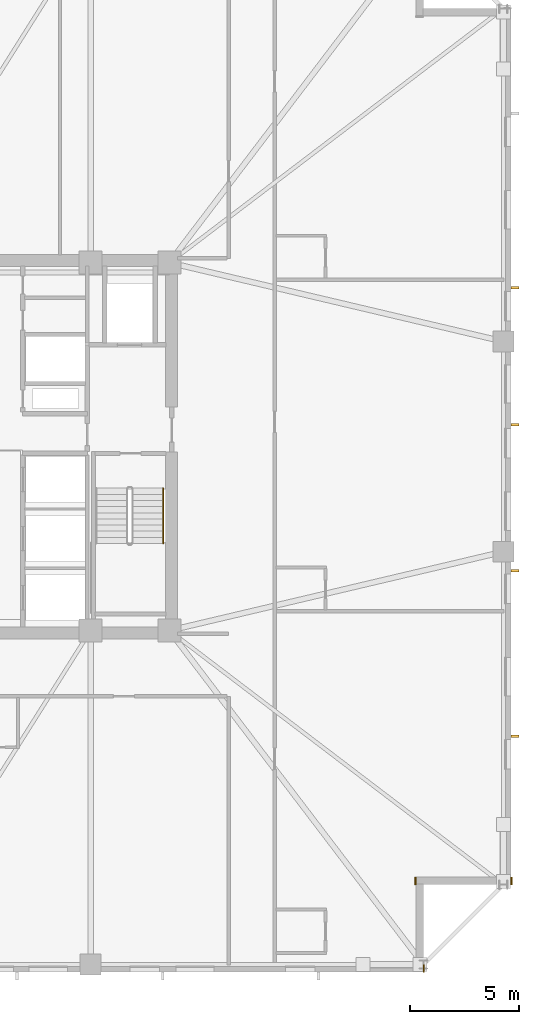
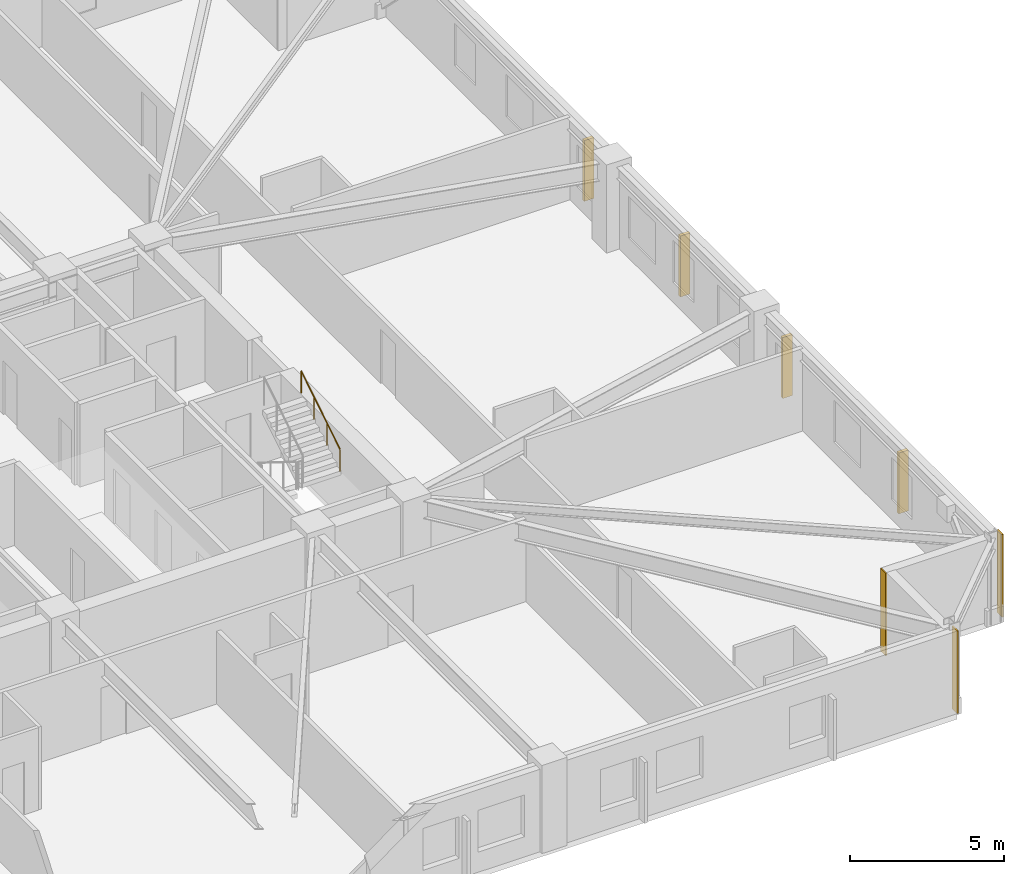
# One storey, part 8 of 10: 4 shading devices, 3 coverings, 1 railing.
"""IFC4 building model written with IfcOpenShell, lengths in metres."""

from ifc_helpers import new_model, si_unit, direction, frame, frame_2d, origin, origin_2d, place, context, subcontext, project, spatial, rectangle, circle, extrude, material, layer, layer_set, type_object, element, save


model = new_model("IFC4")

# Units and contexts
model_context = context("Model", 3, precision=1e-05, world=origin(), true_north=direction((0.0, 1.0)))
body_context = subcontext(model_context, "Body", "Model", "MODEL_VIEW")
ifc_project = project(units=[si_unit("LENGTHUNIT", "METRE"), si_unit("AREAUNIT", "SQUARE_METRE"), si_unit("VOLUMEUNIT", "CUBIC_METRE"), si_unit("PLANEANGLEUNIT", "RADIAN"), si_unit("MASSUNIT", "GRAM", prefix="KILO")], contexts=[model_context])

# Site, building, storey
site_placement = place(None, origin())
site = spatial("IfcSite", under=ifc_project, at=site_placement, CompositionType="ELEMENT")
building_placement = place(site_placement, origin())
building = spatial("IfcBuilding", under=site, at=building_placement, Name="Cairnveth Concourse Tower", CompositionType="ELEMENT")
storey_placement = place(building_placement, frame((0.0, 0.0, 113.0)))
storey = spatial("IfcBuildingStorey", under=building, at=storey_placement, Name="L30", CompositionType="ELEMENT", Elevation=113.0)

# Coverings
ifc_material_1 = material(Name="Dressed Melbourne Bluestone Cladding", Category="masonry")
ifc_layer = layer(ifc_material_1, 0.050048828125)
ifc_layer_set = layer_set([ifc_layer], Name="Dressed Melbourne Bluestone Cladding")
covering_type = type_object("IfcCoveringType", Name="DRESSED BLUESTONE PLINTH CLADDING 50", PredefinedType="CLADDING", material=ifc_layer_set)
for number, where, z_axis, x_axis, name in (
    (1, (76.02001953125, 19.340087890625, 0.0), (0.0, 0.0, 1.0), (0.0, -1.0, 0.0), "Melbourne Bluestone Corner Quoin L30-426"),
    (2, (71.639892578125, 19.340087890625, 0.0), (0.0, 0.0, 1.0), (0.0, -1.0, 0.0), "Melbourne Bluestone Corner Quoin L30-427"),
    (3, (72.02001953125, 15.340087890625, 0.0), (0.0, 0.0, 1.0), (0.0, -1.0, 0.0), "Melbourne Bluestone Corner Quoin L30-428"),
):
    element("IfcCovering", number, at=place(storey_placement, frame(where, z_axis=z_axis, x_axis=x_axis)), inside=storey, type_object=covering_type, Name=name, PredefinedType="CLADDING", context=body_context, shape_type="SweptSolid", body=[
        extrude(rectangle(XDim=0.340087890625, YDim=0.050048828125, at=frame_2d((0.169921875, 0.0))), origin(), (0.0, 0.0, 1.0), 3.280029296875),
    ])

# Shading devices
ifc_material_2 = material(Name="Architectural Bronze Anodised Aluminium 6063-T6", Category="aluminium")
shading_device_type = type_object("IfcShadingDeviceType", Name="GOTHIC BRONZE VERTICAL LANCET FIN", PredefinedType="USERDEFINED", material=ifc_material_2)
for number, where, z_axis, x_axis, name in (
    (4, (76.175048828125, 46.251220703125, 0.030029296875), (0.0, 0.0, 1.0), (0.0, 1.0, 0.0), "Gothic Bronze Vertical Fin L30-6-3"),
    (5, (76.175048828125, 39.993896484375, 0.030029296875), (0.0, 0.0, 1.0), (0.0, 1.0, 0.0), "Gothic Bronze Vertical Fin L30-6-5"),
    (6, (76.175048828125, 33.3369140625, 0.030029296875), (0.0, 0.0, 1.0), (0.0, 1.0, 0.0), "Gothic Bronze Vertical Fin L30-6-7"),
    (7, (76.175048828125, 25.77978515625, 0.030029296875), (0.0, 0.0, 1.0), (0.0, 1.0, 0.0), "Gothic Bronze Vertical Fin L30-6-9"),
):
    element("IfcShadingDevice", number, at=place(storey_placement, frame(where, z_axis=z_axis, x_axis=x_axis)), inside=storey, type_object=shading_device_type, Name=name, ObjectType="VERTICAL FIN", PredefinedType="USERDEFINED", context=body_context, shape_type="SweptSolid", body=[
        extrude(rectangle(XDim=0.1201171875, YDim=0.360107421875, at=origin_2d()), origin(), (0.0, 0.0, 1.0), 2.419921875),
    ])

# Railing
ifc_material_3 = material(Name="Steel Grade 350", Category="steel")
railing_type = type_object("IfcRailingType", Name="STAIR WALL HANDRAIL 900", PredefinedType="HANDRAIL", material=ifc_material_3)
railing_placement = place(storey_placement, frame((60.110107421875, 34.580078125, 1.925048828125)))
element("IfcRailing", 8, at=railing_placement, inside=storey, type_object=railing_type, Name="L30 ST-2 stair handrail 2", PredefinedType="HANDRAIL", context=body_context, shape_type="SweptSolid", body=[
    extrude(circle(Radius=0.02392578125, at=origin_2d()), frame((0.0, 0.0, 0.8759765625), z_axis=(0.0, 0.848007534815, 0.529984170421), x_axis=(-1.0, 0.0, 0.0)), (0.0, 0.0, 1.0), 2.9716796875),
    extrude(circle(Radius=0.02099609375, at=origin_2d()), origin(), (0.0, 0.0, 1.0), 0.851806640625),
    extrude(circle(Radius=0.02099609375, at=origin_2d()), frame((0.0, 0.840087890625, 0.52490234375)), (0.0, 0.0, 1.0), 0.851806640625),
    extrude(circle(Radius=0.02099609375, at=origin_2d()), frame((0.0, 1.679931640625, 1.050048828125)), (0.0, 0.0, 1.0), 0.851806640625),
    extrude(circle(Radius=0.02099609375, at=origin_2d()), frame((0.0, 2.52001953125, 1.574951171875)), (0.0, 0.0, 1.0), 0.851806640625),
])

save(model, "model.ifc")
